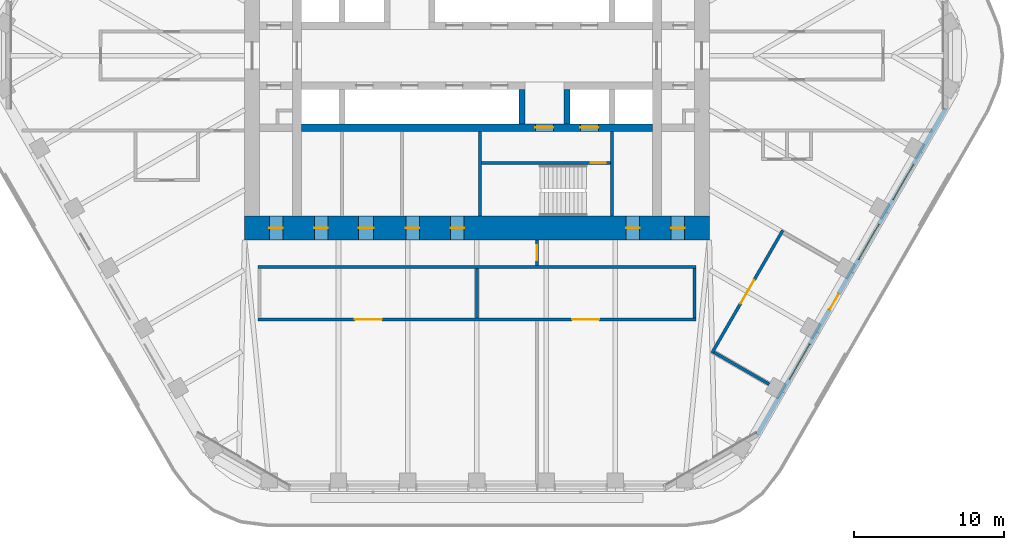
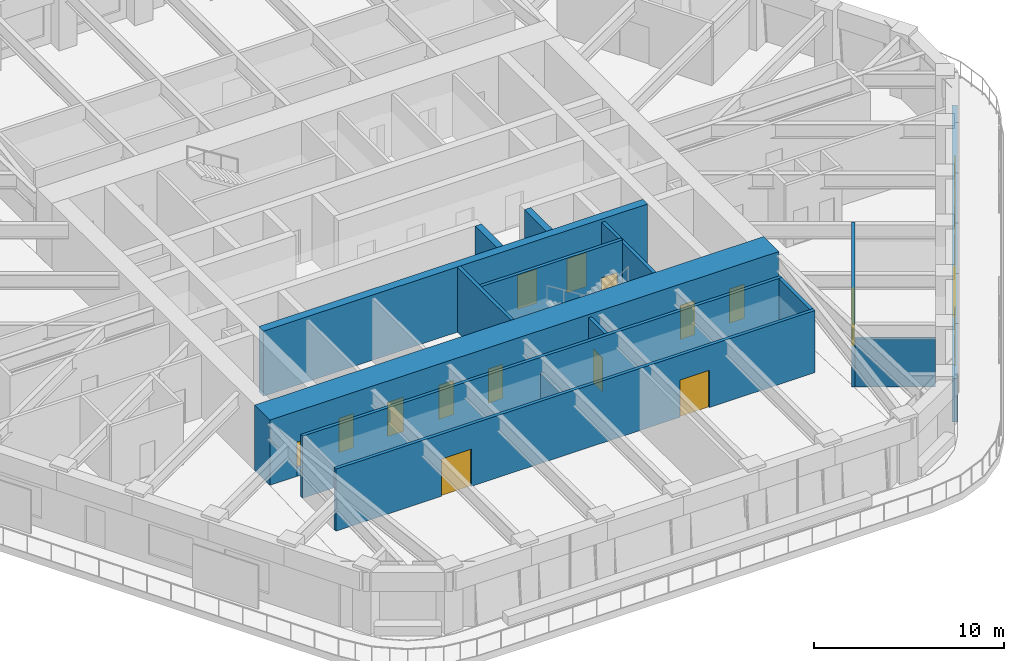
# One storey, part 15 of 20: 15 doors, 15 walls, 3 windows, 18 openings.
"""IFC4 building model written with IfcOpenShell, lengths in metres."""

from ifc_helpers import new_model, si_unit, direction, frame, frame_2d, origin, place, context, subcontext, project, spatial, rectangle, extrude, material, layer, layer_set, type_object, element, fill, save


model = new_model("IFC4")

# Units and contexts
model_context = context("Model", 3, precision=1e-05, world=origin(), true_north=direction((0.0, 1.0)))
body_context = subcontext(model_context, "Body", "Model", "MODEL_VIEW")
ifc_project = project(units=[si_unit("LENGTHUNIT", "METRE"), si_unit("AREAUNIT", "SQUARE_METRE"), si_unit("VOLUMEUNIT", "CUBIC_METRE"), si_unit("PLANEANGLEUNIT", "RADIAN"), si_unit("MASSUNIT", "GRAM", prefix="KILO")], contexts=[model_context])

# Site, building, storey
site_placement = place(None, origin())
site = spatial("IfcSite", under=ifc_project, at=site_placement, CompositionType="ELEMENT")
building_placement = place(site_placement, origin())
building = spatial("IfcBuilding", under=site, at=building_placement, Name="Tarfa Lantern Tower", CompositionType="ELEMENT")
storey_placement = place(building_placement, frame((0.0, 0.0, 282.699951171875)))
storey = spatial("IfcBuildingStorey", under=building, at=storey_placement, Name="L64", CompositionType="ELEMENT", Elevation=282.699951171875)

# Wall, openings, door, windows
ifc_material_1 = material(Name="Limestone cladding on blockwork", Category="masonry")
ifc_layer_1 = layer(ifc_material_1, 0.300048828125)
ifc_layer_set_1 = layer_set([ifc_layer_1], Name="EW1 STONE-CLAD WALL 300")
wall_type_1 = type_object("IfcWallType", Name="EW1 STONE-CLAD WALL 300", PredefinedType="SOLIDWALL", material=ifc_layer_set_1)
wall_1_placement = place(storey_placement, frame((18.70654296875, -25.299072265625, 0.0), z_axis=(0.0, 0.0, 1.0), x_axis=(0.500000442367, 0.866025148383, 0.0)))
wall_1 = element("IfcWall", 1, at=wall_1_placement, inside=storey, type_object=wall_type_1, Name="Stone wall SE", PredefinedType="SOLIDWALL", context=body_context, shape_type="SweptSolid", body=[
    extrude(rectangle(XDim=25.11279296875, YDim=0.300048828125, at=frame_2d((12.556396484375, 0.0))), origin(), (0.0, 0.0, 1.0), 2.800048828125),
])
opening_1_placement = place(wall_1_placement, frame((4.2783203125, 0.0, 0.60009765625)))
opening_1 = element("IfcOpeningElement", 2, at=opening_1_placement, cuts=wall_1, Name="Opening W14", PredefinedType="OPENING", context=body_context, shape_type="SweptSolid", body=[
    extrude(rectangle(XDim=2.699951171875, YDim=1.949951171875, at=frame_2d((1.35009765625, 0.97509765625))), frame((0.0, 0.159912109375, 0.0), z_axis=(0.0, -1.0, 0.0), x_axis=(1.0, 0.0, 0.0)), (0.0, 0.0, 1.0), 0.320068359375),
])
opening_2_placement = place(wall_1_placement, frame((9.64697265625, 0.0, 0.0)))
opening_2 = element("IfcOpeningElement", 3, at=opening_2_placement, cuts=wall_1, Name="Opening D47", PredefinedType="OPENING", context=body_context, shape_type="SweptSolid", body=[
    extrude(rectangle(XDim=1.199951171875, YDim=2.39990234375, at=frame_2d((0.60009765625, 1.199951171875))), frame((0.0, 0.159912109375, 0.0), z_axis=(0.0, -1.0, 0.0), x_axis=(1.0, 0.0, 0.0)), (0.0, 0.0, 1.0), 0.320068359375),
])
opening_3_placement = place(wall_1_placement, frame((13.515869140625, 0.0, 0.60009765625)))
opening_3 = element("IfcOpeningElement", 4, at=opening_3_placement, cuts=wall_1, Name="Opening W14", PredefinedType="OPENING", context=body_context, shape_type="SweptSolid", body=[
    extrude(rectangle(XDim=2.699951171875, YDim=1.949951171875, at=frame_2d((1.35009765625, 0.97509765625))), frame((0.0, 0.159912109375, 0.0), z_axis=(0.0, -1.0, 0.0), x_axis=(1.0, 0.0, 0.0)), (0.0, 0.0, 1.0), 0.320068359375),
])
opening_4_placement = place(wall_1_placement, frame((18.134521484375, 0.0, 0.60009765625)))
opening_4 = element("IfcOpeningElement", 5, at=opening_4_placement, cuts=wall_1, Name="Opening W14", PredefinedType="OPENING", context=body_context, shape_type="SweptSolid", body=[
    extrude(rectangle(XDim=2.699951171875, YDim=1.949951171875, at=frame_2d((1.35009765625, 0.97509765625))), frame((0.0, 0.159912109375, 0.0), z_axis=(0.0, -1.0, 0.0), x_axis=(1.0, 0.0, 0.0)), (0.0, 0.0, 1.0), 0.320068359375),
])
ifc_material_2 = material(Name="Aluminium framed glazed door", Category="aluminium")
door_type_1 = type_object("IfcDoorType", Name="BE3 BALCONY DOOR 1200x2400", OperationType="SINGLE_SWING_RIGHT", PredefinedType="DOOR", material=ifc_material_2)
door_1_placement = place(opening_2_placement, origin())
door_1 = element("IfcDoor", 6, at=door_1_placement, inside=storey, type_object=door_type_1, Name="Balcony door SE", OperationType="SINGLE_SWING_RIGHT", OverallHeight=2.39990234375, OverallWidth=1.199951171875, PredefinedType="DOOR", context=body_context, shape_type="SweptSolid", body=[
    extrude(rectangle(XDim=1.199951171875, YDim=2.39990234375, at=frame_2d((0.60009765625, 1.199951171875))), frame((0.0, 0.02490234375, 0.0), z_axis=(0.0, -1.0, 0.0), x_axis=(1.0, 0.0, 0.0)), (0.0, 0.0, 1.0), 0.050048828125),
])
fill(opening_2, door_1)
ifc_material_3 = material(Name="Aluminium frame, double glazed", Category="aluminium")
window_type = type_object("IfcWindowType", Name="W14 FULL-HEIGHT GLAZING 2700x1950", PartitioningType="SINGLE_PANEL", PredefinedType="WINDOW", material=ifc_material_3)
window_1_placement = place(opening_1_placement, origin())
window_1 = element("IfcWindow", 7, at=window_1_placement, inside=storey, type_object=window_type, Name="Window SE 2", OverallHeight=1.949951171875, OverallWidth=2.699951171875, PartitioningType="SINGLE_PANEL", PredefinedType="WINDOW", context=body_context, shape_type="SweptSolid", body=[
    extrude(rectangle(XDim=2.699951171875, YDim=1.949951171875, at=frame_2d((1.35009765625, 0.97509765625))), frame((0.0, 0.030029296875, 0.0), z_axis=(0.0, -1.0, 0.0), x_axis=(1.0, 0.0, 0.0)), (0.0, 0.0, 1.0), 0.06005859375),
])
fill(opening_1, window_1)
window_2_placement = place(opening_3_placement, origin())
window_2 = element("IfcWindow", 8, at=window_2_placement, inside=storey, type_object=window_type, Name="Window SE 4", OverallHeight=1.949951171875, OverallWidth=2.699951171875, PartitioningType="SINGLE_PANEL", PredefinedType="WINDOW", context=body_context, shape_type="SweptSolid", body=[
    extrude(rectangle(XDim=2.699951171875, YDim=1.949951171875, at=frame_2d((1.35009765625, 0.97509765625))), frame((0.0, 0.030029296875, 0.0), z_axis=(0.0, -1.0, 0.0), x_axis=(1.0, 0.0, 0.0)), (0.0, 0.0, 1.0), 0.06005859375),
])
fill(opening_3, window_2)
window_3_placement = place(opening_4_placement, origin())
window_3 = element("IfcWindow", 9, at=window_3_placement, inside=storey, type_object=window_type, Name="Window SE 5", OverallHeight=1.949951171875, OverallWidth=2.699951171875, PartitioningType="SINGLE_PANEL", PredefinedType="WINDOW", context=body_context, shape_type="SweptSolid", body=[
    extrude(rectangle(XDim=2.699951171875, YDim=1.949951171875, at=frame_2d((1.35009765625, 0.97509765625))), frame((0.0, 0.030029296875, 0.0), z_axis=(0.0, -1.0, 0.0), x_axis=(1.0, 0.0, 0.0)), (0.0, 0.0, 1.0), 0.06005859375),
])
fill(opening_4, window_3)

# Walls
ifc_material_4 = material(Name="Concrete blockwork", Category="masonry")
ifc_layer_2 = layer(ifc_material_4, 0.199951171875)
ifc_layer_set_2 = layer_set([ifc_layer_2], Name="IW1 BLOCKWORK PARTITION 200 EI 120")
wall_type_2 = type_object("IfcWallType", Name="IW1 BLOCKWORK PARTITION 200 EI 120", PredefinedType="PARTITIONING", material=ifc_layer_set_2)
wall_2_placement = place(storey_placement, frame((9.0, -5.050048828125, 0.0), z_axis=(0.0, 0.0, 1.0), x_axis=(0.0, -1.0, 0.0)))
element("IfcWall", 10, at=wall_2_placement, inside=storey, type_object=wall_type_2, Name="Core partition", PredefinedType="PARTITIONING", context=body_context, shape_type="SweptSolid", body=[
    extrude(rectangle(XDim=5.64990234375, YDim=0.199951171875, at=frame_2d((2.824951171875, 0.0))), origin(), (0.0, 0.0, 1.0), 4.0),
])
ifc_material_5 = material(Name="Gypsum board on steel studs", Category="steel")
ifc_layer_3 = layer(ifc_material_5, 0.2099609375)
ifc_layer_set_3 = layer_set([ifc_layer_3], Name="IW2 ACOUSTIC PARTITION 200")
wall_type_3 = type_object("IfcWallType", Name="IW2 ACOUSTIC PARTITION 200", PredefinedType="PARTITIONING", material=ifc_layer_set_3)
wall_3_placement = place(storey_placement, frame((14.60009765625, -14.10009765625, 0.0), z_axis=(0.0, 0.0, 1.0), x_axis=(-1.0, 0.0, 0.0)))
element("IfcWall", 11, at=wall_3_placement, inside=storey, type_object=wall_type_3, Name="Partition", PredefinedType="PARTITIONING", context=body_context, shape_type="SweptSolid", body=[
    extrude(rectangle(XDim=29.2001953125, YDim=0.199951171875, at=frame_2d((14.60009765625, 0.0))), origin(), (0.0, 0.0, 1.0), 4.0),
])

# Wall, openings, doors
wall_4_placement = place(storey_placement, frame((14.60009765625, -17.60009765625, 0.0), z_axis=(0.0, 0.0, 1.0), x_axis=(-1.0, 0.0, 0.0)))
wall_4 = element("IfcWall", 12, at=wall_4_placement, inside=storey, type_object=wall_type_3, Name="Partition", PredefinedType="PARTITIONING", context=body_context, shape_type="SweptSolid", body=[
    extrude(rectangle(XDim=29.2001953125, YDim=0.199951171875, at=frame_2d((14.60009765625, 0.0))), origin(), (0.0, 0.0, 1.0), 4.0),
])
opening_5_placement = place(wall_4_placement, frame((6.449951171875, 0.0, 0.0)))
opening_5 = element("IfcOpeningElement", 13, at=opening_5_placement, cuts=wall_4, Name="Opening D32", PredefinedType="OPENING", context=body_context, shape_type="SweptSolid", body=[
    extrude(rectangle(XDim=1.800048828125, YDim=2.39990234375, at=frame_2d((0.89990234375, 1.199951171875))), frame((0.0, 0.10986328125, 0.0), z_axis=(0.0, -1.0, 0.0), x_axis=(1.0, 0.0, 0.0)), (0.0, 0.0, 1.0), 0.219970703125),
])
opening_6_placement = place(wall_4_placement, frame((20.949951171875, 0.0, 0.0)))
opening_6 = element("IfcOpeningElement", 14, at=opening_6_placement, cuts=wall_4, Name="Opening D33", PredefinedType="OPENING", context=body_context, shape_type="SweptSolid", body=[
    extrude(rectangle(XDim=1.800048828125, YDim=2.39990234375, at=frame_2d((0.89990234375, 1.199951171875))), frame((0.0, 0.10986328125, 0.0), z_axis=(0.0, -1.0, 0.0), x_axis=(1.0, 0.0, 0.0)), (0.0, 0.0, 1.0), 0.219970703125),
])
ifc_material_6 = material(Name="Timber door", Category="wood")
door_type_2 = type_object("IfcDoorType", Name="DR2 ROOM DOOR 1800x2400", OperationType="DOUBLE_DOOR_SINGLE_SWING", PredefinedType="DOOR", material=ifc_material_6)
door_2_placement = place(opening_5_placement, frame((1.800048828125, 0.0, 0.0), z_axis=(0.0, 0.0, 1.0), x_axis=(-1.0, 0.0, 0.0)))
door_2 = element("IfcDoor", 15, at=door_2_placement, inside=storey, type_object=door_type_2, Name="Meeting room door", OperationType="DOUBLE_DOOR_SINGLE_SWING", OverallHeight=2.39990234375, OverallWidth=1.800048828125, PredefinedType="DOOR", context=body_context, shape_type="SweptSolid", body=[
    extrude(rectangle(XDim=1.800048828125, YDim=2.39990234375, at=frame_2d((0.89990234375, 1.199951171875))), frame((0.0, 0.02490234375, 0.0), z_axis=(0.0, -1.0, 0.0), x_axis=(1.0, 0.0, 0.0)), (0.0, 0.0, 1.0), 0.050048828125),
])
fill(opening_5, door_2)
door_3_placement = place(opening_6_placement, frame((1.800048828125, 0.0, 0.0), z_axis=(0.0, 0.0, 1.0), x_axis=(-1.0, 0.0, 0.0)))
door_3 = element("IfcDoor", 16, at=door_3_placement, inside=storey, type_object=door_type_2, Name="Meeting room door", OperationType="DOUBLE_DOOR_SINGLE_SWING", OverallHeight=2.39990234375, OverallWidth=1.800048828125, PredefinedType="DOOR", context=body_context, shape_type="SweptSolid", body=[
    extrude(rectangle(XDim=1.800048828125, YDim=2.39990234375, at=frame_2d((0.89990234375, 1.199951171875))), frame((0.0, 0.02490234375, 0.0), z_axis=(0.0, -1.0, 0.0), x_axis=(1.0, 0.0, 0.0)), (0.0, 0.0, 1.0), 0.050048828125),
])
fill(opening_6, door_3)

# Walls
wall_5_placement = place(storey_placement, frame((14.5, -14.199951171875, 0.0), z_axis=(0.0, 0.0, 1.0), x_axis=(0.0, -1.0, 0.0)))
element("IfcWall", 17, at=wall_5_placement, inside=storey, type_object=wall_type_3, Name="Partition", PredefinedType="PARTITIONING", context=body_context, shape_type="SweptSolid", body=[
    extrude(rectangle(XDim=3.300048828125, YDim=0.199951171875, at=frame_2d((1.64990234375, 0.0))), origin(), (0.0, 0.0, 1.0), 4.0),
])
wall_6_placement = place(storey_placement, frame((0.0, -14.199951171875, 0.0), z_axis=(0.0, 0.0, 1.0), x_axis=(0.0, -1.0, 0.0)))
element("IfcWall", 18, at=wall_6_placement, inside=storey, type_object=wall_type_3, Name="Partition", PredefinedType="PARTITIONING", context=body_context, shape_type="SweptSolid", body=[
    extrude(rectangle(XDim=3.300048828125, YDim=0.199951171875, at=frame_2d((1.64990234375, 0.0))), origin(), (0.0, 0.0, 1.0), 2.991943359375),
])

# Wall, opening, door
wall_7_placement = place(storey_placement, frame((15.682861328125, -19.836669921875, 0.0), z_axis=(0.0, 0.0, 1.0), x_axis=(0.499989672313, 0.866031366395, 0.0)))
wall_7 = element("IfcWall", 19, at=wall_7_placement, inside=storey, type_object=wall_type_3, Name="Partition", PredefinedType="PARTITIONING", context=body_context, shape_type="SweptSolid", body=[
    extrude(rectangle(XDim=9.437744140625, YDim=0.199951171875, at=frame_2d((4.71875, 0.0))), origin(), (0.0, 0.0, 1.0), 4.0),
])
opening_7_placement = place(wall_7_placement, frame((3.81884765625, 0.0, 0.0)))
opening_7 = element("IfcOpeningElement", 20, at=opening_7_placement, cuts=wall_7, Name="Opening D30", PredefinedType="OPENING", context=body_context, shape_type="SweptSolid", body=[
    extrude(rectangle(XDim=1.800048828125, YDim=2.39990234375, at=frame_2d((0.89990234375, 1.199951171875))), frame((0.0, 0.10986328125, 0.0), z_axis=(0.0, -1.0, 0.0), x_axis=(1.0, 0.0, 0.0)), (0.0, 0.0, 1.0), 0.219970703125),
])
door_4_placement = place(opening_7_placement, frame((1.800048828125, 0.0, 0.0), z_axis=(0.0, 0.0, 1.0), x_axis=(-1.0, 0.0, 0.0)))
door_4 = element("IfcDoor", 21, at=door_4_placement, inside=storey, type_object=door_type_2, Name="Majlis door", OperationType="DOUBLE_DOOR_SINGLE_SWING", OverallHeight=2.39990234375, OverallWidth=1.800048828125, PredefinedType="DOOR", context=body_context, shape_type="SweptSolid", body=[
    extrude(rectangle(XDim=1.800048828125, YDim=2.39990234375, at=frame_2d((0.89990234375, 1.199951171875))), frame((0.0, 0.02490234375, 0.0), z_axis=(0.0, -1.0, 0.0), x_axis=(1.0, 0.0, 0.0)), (0.0, 0.0, 1.0), 0.050048828125),
])
fill(opening_7, door_4)

# Wall
wall_8_placement = place(storey_placement, frame((15.8193359375, -19.800048828125, 0.0), z_axis=(0.0, 0.0, 1.0), x_axis=(0.866028703517, -0.499994284652, 0.0)))
element("IfcWall", 22, at=wall_8_placement, inside=storey, type_object=wall_type_3, Name="Partition", PredefinedType="PARTITIONING", context=body_context, shape_type="SweptSolid", body=[
    extrude(rectangle(XDim=4.25, YDim=0.199951171875, at=frame_2d((2.125, 0.0))), origin(), (0.0, 0.0, 1.0), 3.08154296875),
])

# Wall, opening, door
wall_9_placement = place(storey_placement, frame((4.0, -12.300048828125, 0.0), z_axis=(0.0, 0.0, 1.0), x_axis=(0.0, -1.0, 0.0)))
wall_9 = element("IfcWall", 23, at=wall_9_placement, inside=storey, type_object=wall_type_3, Name="Partition", PredefinedType="PARTITIONING", context=body_context, shape_type="SweptSolid", body=[
    extrude(rectangle(XDim=1.699951171875, YDim=0.199951171875, at=frame_2d((0.85009765625, 0.0))), origin(), (0.0, 0.0, 1.0), 4.0),
])
opening_8_placement = place(wall_9_placement, frame((0.35009765625, 0.0, 0.0)))
opening_8 = element("IfcOpeningElement", 24, at=opening_8_placement, cuts=wall_9, Name="Opening D44", PredefinedType="OPENING", context=body_context, shape_type="SweptSolid", body=[
    extrude(rectangle(XDim=1.0, YDim=2.199951171875, at=frame_2d((0.5, 1.10009765625))), frame((0.0, 0.10986328125, 0.0), z_axis=(0.0, -1.0, 0.0), x_axis=(1.0, 0.0, 0.0)), (0.0, 0.0, 1.0), 0.219970703125),
])
door_type_3 = type_object("IfcDoorType", Name="DR1 ROOM DOOR 1000x2200", OperationType="SINGLE_SWING_LEFT", PredefinedType="DOOR", material=ifc_material_6)
door_5_placement = place(opening_8_placement, origin())
door_5 = element("IfcDoor", 25, at=door_5_placement, inside=storey, type_object=door_type_3, Name="Zone door", OperationType="SINGLE_SWING_LEFT", OverallHeight=2.199951171875, OverallWidth=1.0, PredefinedType="DOOR", context=body_context, shape_type="SweptSolid", body=[
    extrude(rectangle(XDim=1.0, YDim=2.199951171875, at=frame_2d((0.5, 1.10009765625))), frame((0.0, 0.02490234375, 0.0), z_axis=(0.0, -1.0, 0.0), x_axis=(1.0, 0.0, 0.0)), (0.0, 0.0, 1.0), 0.050048828125),
])
fill(opening_8, door_5)

# Wall
ifc_material_7 = material(Name="Concrete C80/95", Category="concrete")
ifc_layer_4 = layer(ifc_material_7, 0.199951171875)
ifc_layer_set_4 = layer_set([ifc_layer_4], Name="SW12 CORE WALL 200")
wall_type_4 = type_object("IfcWallType", Name="SW12 CORE WALL 200", PredefinedType="SHEAR", material=ifc_layer_set_4)
wall_10_placement = place(storey_placement, frame((0.199951171875, -5.050048828125, 0.0), z_axis=(0.0, 0.0, 1.0), x_axis=(0.0, -1.0, 0.0)))
element("IfcWall", 26, at=wall_10_placement, inside=storey, type_object=wall_type_4, Name="Core wall stair shaft S", PredefinedType="SHEAR", context=body_context, shape_type="SweptSolid", body=[
    extrude(rectangle(XDim=5.64990234375, YDim=0.199951171875, at=frame_2d((2.824951171875, 0.0))), origin(), (0.0, 0.0, 1.0), 4.199951171875),
])

# Wall, opening, door
wall_11_placement = place(storey_placement, frame((8.89990234375, -7.14990234375, 0.0), z_axis=(0.0, 0.0, 1.0), x_axis=(-1.0, 0.0, 0.0)))
wall_11 = element("IfcWall", 27, at=wall_11_placement, inside=storey, type_object=wall_type_4, Name="Core wall stair partition S", PredefinedType="SHEAR", context=body_context, shape_type="SweptSolid", body=[
    extrude(rectangle(XDim=8.599853515625, YDim=0.199951171875, at=frame_2d((4.2998046875, 0.0))), origin(), (0.0, 0.0, 1.0), 4.199951171875),
])
opening_9_placement = place(wall_11_placement, frame((0.300048828125, 0.0, 0.0)))
opening_9 = element("IfcOpeningElement", 28, at=opening_9_placement, cuts=wall_11, Name="Opening D24", PredefinedType="OPENING", context=body_context, shape_type="SweptSolid", body=[
    extrude(rectangle(XDim=1.0, YDim=2.199951171875, at=frame_2d((0.5, 1.10009765625))), frame((0.0, 0.10986328125, 0.0), z_axis=(0.0, -1.0, 0.0), x_axis=(1.0, 0.0, 0.0)), (0.0, 0.0, 1.0), 0.219970703125),
])
ifc_material_8 = material(Name="Steel fire door", Category="steel")
door_type_4 = type_object("IfcDoorType", Name="DF2 STAIR DOOR 1000x2200", OperationType="SINGLE_SWING_LEFT", PredefinedType="DOOR", material=ifc_material_8)
door_6_placement = place(opening_9_placement, origin())
door_6 = element("IfcDoor", 29, at=door_6_placement, inside=storey, type_object=door_type_4, Name="Stair door", OperationType="SINGLE_SWING_RIGHT", OverallHeight=2.199951171875, OverallWidth=1.0, PredefinedType="DOOR", context=body_context, shape_type="SweptSolid", body=[
    extrude(rectangle(XDim=1.0, YDim=2.199951171875, at=frame_2d((0.5, 1.10009765625))), frame((0.0, 0.02490234375, 0.0), z_axis=(0.0, -1.0, 0.0), x_axis=(1.0, 0.0, 0.0)), (0.0, 0.0, 1.0), 0.050048828125),
])
fill(opening_9, door_6)

# Wall, openings, doors
ifc_layer_5 = layer(ifc_material_7, 0.5)
ifc_layer_set_5 = layer_set([ifc_layer_5], Name="SW5 CORE WALL 500")
wall_type_5 = type_object("IfcWallType", Name="SW5 CORE WALL 500", PredefinedType="SHEAR", material=ifc_layer_set_5)
wall_12_placement = place(storey_placement, frame((11.699951171875, -4.800048828125, 0.0), z_axis=(0.0, 0.0, 1.0), x_axis=(-1.0, 0.0, 0.0)))
wall_12 = element("IfcWall", 30, at=wall_12_placement, inside=storey, type_object=wall_type_5, Name="Core wall rear S", PredefinedType="SHEAR", context=body_context, shape_type="SweptSolid", body=[
    extrude(rectangle(XDim=23.39990234375, YDim=0.5, at=frame_2d((11.699951171875, 0.0))), origin(), (0.0, 0.0, 1.0), 4.199951171875),
])
opening_10_placement = place(wall_12_placement, frame((6.60009765625, 0.0, 0.0)))
opening_10 = element("IfcOpeningElement", 31, at=opening_10_placement, cuts=wall_12, Name="Opening D10", PredefinedType="OPENING", context=body_context, shape_type="SweptSolid", body=[
    extrude(rectangle(XDim=1.199951171875, YDim=2.199951171875, at=frame_2d((0.60009765625, 1.10009765625))), frame((0.0, 0.260009765625, 0.0), z_axis=(0.0, -1.0, 0.0), x_axis=(1.0, 0.0, 0.0)), (0.0, 0.0, 1.0), 0.52001953125),
])
opening_11_placement = place(wall_12_placement, frame((3.60009765625, 0.0, 0.0)))
opening_11 = element("IfcOpeningElement", 32, at=opening_11_placement, cuts=wall_12, Name="Opening LD02", PredefinedType="OPENING", context=body_context, shape_type="SweptSolid", body=[
    extrude(rectangle(XDim=1.199951171875, YDim=2.199951171875, at=frame_2d((0.60009765625, 1.10009765625))), frame((0.0, 0.260009765625, 0.0), z_axis=(0.0, -1.0, 0.0), x_axis=(1.0, 0.0, 0.0)), (0.0, 0.0, 1.0), 0.52001953125),
])
door_type_5 = type_object("IfcDoorType", Name="DF1 FIREFIGHTING LOBBY DOOR 1200x2200", OperationType="SINGLE_SWING_LEFT", PredefinedType="DOOR", material=ifc_material_8)
door_7_placement = place(opening_10_placement, origin())
door_7 = element("IfcDoor", 33, at=door_7_placement, inside=storey, type_object=door_type_5, Name="Firefighting lobby door", OperationType="SINGLE_SWING_LEFT", OverallHeight=2.199951171875, OverallWidth=1.199951171875, PredefinedType="DOOR", context=body_context, shape_type="SweptSolid", body=[
    extrude(rectangle(XDim=1.199951171875, YDim=2.199951171875, at=frame_2d((0.60009765625, 1.10009765625))), frame((0.0, 0.02490234375, 0.0), z_axis=(0.0, -1.0, 0.0), x_axis=(1.0, 0.0, 0.0)), (0.0, 0.0, 1.0), 0.050048828125),
])
fill(opening_10, door_7)
ifc_material_9 = material(Name="Stainless steel lift door", Category="steel")
door_type_6 = type_object("IfcDoorType", Name="LD1 LIFT LANDING DOOR 1200x2200", OperationType="SLIDING_TO_LEFT", PredefinedType="DOOR", material=ifc_material_9)
door_8_placement = place(opening_11_placement, origin())
door_8 = element("IfcDoor", 34, at=door_8_placement, inside=storey, type_object=door_type_6, Name="Landing door FL2", OperationType="SLIDING_TO_LEFT", OverallHeight=2.199951171875, OverallWidth=1.199951171875, PredefinedType="DOOR", context=body_context, shape_type="SweptSolid", body=[
    extrude(rectangle(XDim=1.199951171875, YDim=2.199951171875, at=frame_2d((0.60009765625, 1.10009765625))), frame((0.0, 0.02490234375, 0.0), z_axis=(0.0, -1.0, 0.0), x_axis=(1.0, 0.0, 0.0)), (0.0, 0.0, 1.0), 0.050048828125),
])
fill(opening_11, door_8)

# Walls
ifc_layer_6 = layer(ifc_material_7, 0.39990234375)
ifc_layer_set_6 = layer_set([ifc_layer_6], Name="SW6 CORE WALL 400")
wall_type_6 = type_object("IfcWallType", Name="SW6 CORE WALL 400", PredefinedType="SHEAR", material=ifc_layer_set_6)
for number, where, z_axis, x_axis, name in (
    (35, (6.0, -2.25, 0.0), (0.0, 0.0, 1.0), (0.0, -1.0, 0.0), "Core wall divider S"),
    (36, (3.0, -2.25, 0.0), (0.0, 0.0, 1.0), (0.0, -1.0, 0.0), "Core wall divider S"),
):
    element("IfcWall", number, at=place(storey_placement, frame(where, z_axis=z_axis, x_axis=x_axis)), inside=storey, type_object=wall_type_6, Name=name, PredefinedType="SHEAR", context=body_context, shape_type="SweptSolid", body=[
        extrude(rectangle(XDim=2.300048828125, YDim=0.39990234375, at=frame_2d((1.14990234375, 0.0))), origin(), (0.0, 0.0, 1.0), 4.199951171875),
    ])

# Wall, openings, doors
ifc_layer_7 = layer(ifc_material_7, 1.60009765625)
ifc_layer_set_7 = layer_set([ifc_layer_7], Name="SW7 CORE WALL 1600")
wall_type_7 = type_object("IfcWallType", Name="SW7 CORE WALL 1600", PredefinedType="SHEAR", material=ifc_layer_set_7)
wall_13_placement = place(storey_placement, frame((15.5, -11.5, 0.0), z_axis=(0.0, 0.0, 1.0), x_axis=(-1.0, 0.0, 0.0)))
wall_13 = element("IfcWall", 37, at=wall_13_placement, inside=storey, type_object=wall_type_7, Name="Core wall S", PredefinedType="SHEAR", context=body_context, shape_type="SweptSolid", body=[
    extrude(rectangle(XDim=31.0, YDim=1.60009765625, at=frame_2d((15.5, 0.0))), origin(), (0.0, 0.0, 1.0), 4.199951171875),
])
opening_12_placement = place(wall_13_placement, frame((16.35009765625, 0.0, 0.0)))
opening_12 = element("IfcOpeningElement", 38, at=opening_12_placement, cuts=wall_13, Name="Opening D18", PredefinedType="OPENING", context=body_context, shape_type="SweptSolid", body=[
    extrude(rectangle(XDim=0.89990234375, YDim=2.199951171875, at=frame_2d((0.449951171875, 1.10009765625))), frame((0.0, 0.81005859375, 0.0), z_axis=(0.0, -1.0, 0.0), x_axis=(1.0, 0.0, 0.0)), (0.0, 0.0, 1.0), 1.6201171875),
])
opening_13_placement = place(wall_13_placement, frame((19.35009765625, 0.0, 0.0)))
opening_13 = element("IfcOpeningElement", 39, at=opening_13_placement, cuts=wall_13, Name="Opening D20", PredefinedType="OPENING", context=body_context, shape_type="SweptSolid", body=[
    extrude(rectangle(XDim=0.89990234375, YDim=2.199951171875, at=frame_2d((0.449951171875, 1.10009765625))), frame((0.0, 0.81005859375, 0.0), z_axis=(0.0, -1.0, 0.0), x_axis=(1.0, 0.0, 0.0)), (0.0, 0.0, 1.0), 1.6201171875),
])
opening_14_placement = place(wall_13_placement, frame((22.39990234375, 0.0, 0.0)))
opening_14 = element("IfcOpeningElement", 40, at=opening_14_placement, cuts=wall_13, Name="Opening D22", PredefinedType="OPENING", context=body_context, shape_type="SweptSolid", body=[
    extrude(rectangle(XDim=1.0, YDim=2.199951171875, at=frame_2d((0.5, 1.10009765625))), frame((0.0, 0.81005859375, 0.0), z_axis=(0.0, -1.0, 0.0), x_axis=(1.0, 0.0, 0.0)), (0.0, 0.0, 1.0), 1.6201171875),
])
opening_15_placement = place(wall_13_placement, frame((1.64990234375, 0.0, 0.0)))
opening_15 = element("IfcOpeningElement", 41, at=opening_15_placement, cuts=wall_13, Name="Opening D08", PredefinedType="OPENING", context=body_context, shape_type="SweptSolid", body=[
    extrude(rectangle(XDim=0.89990234375, YDim=2.199951171875, at=frame_2d((0.449951171875, 1.10009765625))), frame((0.0, 0.81005859375, 0.0), z_axis=(0.0, -1.0, 0.0), x_axis=(1.0, 0.0, 0.0)), (0.0, 0.0, 1.0), 1.6201171875),
])
opening_16_placement = place(wall_13_placement, frame((4.64990234375, 0.0, 0.0)))
opening_16 = element("IfcOpeningElement", 42, at=opening_16_placement, cuts=wall_13, Name="Opening D06", PredefinedType="OPENING", context=body_context, shape_type="SweptSolid", body=[
    extrude(rectangle(XDim=0.89990234375, YDim=2.199951171875, at=frame_2d((0.449951171875, 1.10009765625))), frame((0.0, 0.81005859375, 0.0), z_axis=(0.0, -1.0, 0.0), x_axis=(1.0, 0.0, 0.0)), (0.0, 0.0, 1.0), 1.6201171875),
])
opening_17_placement = place(wall_13_placement, frame((25.449951171875, 0.0, 0.0)))
opening_17 = element("IfcOpeningElement", 43, at=opening_17_placement, cuts=wall_13, Name="Opening D04", PredefinedType="OPENING", context=body_context, shape_type="SweptSolid", body=[
    extrude(rectangle(XDim=0.89990234375, YDim=2.199951171875, at=frame_2d((0.449951171875, 1.10009765625))), frame((0.0, 0.81005859375, 0.0), z_axis=(0.0, -1.0, 0.0), x_axis=(1.0, 0.0, 0.0)), (0.0, 0.0, 1.0), 1.6201171875),
])
opening_18_placement = place(wall_13_placement, frame((28.449951171875, 0.0, 0.0)))
opening_18 = element("IfcOpeningElement", 44, at=opening_18_placement, cuts=wall_13, Name="Opening D02", PredefinedType="OPENING", context=body_context, shape_type="SweptSolid", body=[
    extrude(rectangle(XDim=0.89990234375, YDim=2.199951171875, at=frame_2d((0.449951171875, 1.10009765625))), frame((0.0, 0.81005859375, 0.0), z_axis=(0.0, -1.0, 0.0), x_axis=(1.0, 0.0, 0.0)), (0.0, 0.0, 1.0), 1.6201171875),
])
door_type_7 = type_object("IfcDoorType", Name="DF3 CORE ROOM DOOR 900x2200", OperationType="SINGLE_SWING_LEFT", PredefinedType="DOOR", material=ifc_material_8)
door_9_placement = place(opening_12_placement, frame((0.89990234375, 0.0, 0.0), z_axis=(0.0, 0.0, 1.0), x_axis=(-1.0, 0.0, 0.0)))
door_9 = element("IfcDoor", 45, at=door_9_placement, inside=storey, type_object=door_type_7, Name="Core door", OperationType="SINGLE_SWING_LEFT", OverallHeight=2.199951171875, OverallWidth=0.89990234375, PredefinedType="DOOR", context=body_context, shape_type="SweptSolid", body=[
    extrude(rectangle(XDim=0.89990234375, YDim=2.199951171875, at=frame_2d((0.449951171875, 1.10009765625))), frame((0.0, 0.02490234375, 0.0), z_axis=(0.0, -1.0, 0.0), x_axis=(1.0, 0.0, 0.0)), (0.0, 0.0, 1.0), 0.050048828125),
])
fill(opening_12, door_9)
door_10_placement = place(opening_13_placement, frame((0.89990234375, 0.0, 0.0), z_axis=(0.0, 0.0, 1.0), x_axis=(-1.0, 0.0, 0.0)))
door_10 = element("IfcDoor", 46, at=door_10_placement, inside=storey, type_object=door_type_7, Name="Core door", OperationType="SINGLE_SWING_RIGHT", OverallHeight=2.199951171875, OverallWidth=0.89990234375, PredefinedType="DOOR", context=body_context, shape_type="SweptSolid", body=[
    extrude(rectangle(XDim=0.89990234375, YDim=2.199951171875, at=frame_2d((0.449951171875, 1.10009765625))), frame((0.0, 0.02490234375, 0.0), z_axis=(0.0, -1.0, 0.0), x_axis=(1.0, 0.0, 0.0)), (0.0, 0.0, 1.0), 0.050048828125),
])
fill(opening_13, door_10)
door_type_8 = type_object("IfcDoorType", Name="DF4 CORE ROOM DOOR 1000x2200", OperationType="SINGLE_SWING_LEFT", PredefinedType="DOOR", material=ifc_material_8)
door_11_placement = place(opening_14_placement, frame((1.0, 0.0, 0.0), z_axis=(0.0, 0.0, 1.0), x_axis=(-1.0, 0.0, 0.0)))
door_11 = element("IfcDoor", 47, at=door_11_placement, inside=storey, type_object=door_type_8, Name="Core door", OperationType="SINGLE_SWING_RIGHT", OverallHeight=2.199951171875, OverallWidth=1.0, PredefinedType="DOOR", context=body_context, shape_type="SweptSolid", body=[
    extrude(rectangle(XDim=1.0, YDim=2.199951171875, at=frame_2d((0.5, 1.10009765625))), frame((0.0, 0.02490234375, 0.0), z_axis=(0.0, -1.0, 0.0), x_axis=(1.0, 0.0, 0.0)), (0.0, 0.0, 1.0), 0.050048828125),
])
fill(opening_14, door_11)
door_type_9 = type_object("IfcDoorType", Name="DF5 RISER DOOR 900x2200", OperationType="SINGLE_SWING_LEFT", PredefinedType="DOOR", material=ifc_material_8)
door_12_placement = place(opening_15_placement, frame((0.89990234375, 0.0, 0.0), z_axis=(0.0, 0.0, 1.0), x_axis=(-1.0, 0.0, 0.0)))
door_12 = element("IfcDoor", 48, at=door_12_placement, inside=storey, type_object=door_type_9, Name="Riser door", OperationType="SINGLE_SWING_LEFT", OverallHeight=2.199951171875, OverallWidth=0.89990234375, PredefinedType="DOOR", context=body_context, shape_type="SweptSolid", body=[
    extrude(rectangle(XDim=0.89990234375, YDim=2.199951171875, at=frame_2d((0.449951171875, 1.10009765625))), frame((0.0, 0.02490234375, 0.0), z_axis=(0.0, -1.0, 0.0), x_axis=(1.0, 0.0, 0.0)), (0.0, 0.0, 1.0), 0.050048828125),
])
fill(opening_15, door_12)
door_13_placement = place(opening_16_placement, frame((0.89990234375, 0.0, 0.0), z_axis=(0.0, 0.0, 1.0), x_axis=(-1.0, 0.0, 0.0)))
door_13 = element("IfcDoor", 49, at=door_13_placement, inside=storey, type_object=door_type_9, Name="Riser door", OperationType="SINGLE_SWING_LEFT", OverallHeight=2.199951171875, OverallWidth=0.89990234375, PredefinedType="DOOR", context=body_context, shape_type="SweptSolid", body=[
    extrude(rectangle(XDim=0.89990234375, YDim=2.199951171875, at=frame_2d((0.449951171875, 1.10009765625))), frame((0.0, 0.02490234375, 0.0), z_axis=(0.0, -1.0, 0.0), x_axis=(1.0, 0.0, 0.0)), (0.0, 0.0, 1.0), 0.050048828125),
])
fill(opening_16, door_13)
door_14_placement = place(opening_17_placement, frame((0.89990234375, 0.0, 0.0), z_axis=(0.0, 0.0, 1.0), x_axis=(-1.0, 0.0, 0.0)))
door_14 = element("IfcDoor", 50, at=door_14_placement, inside=storey, type_object=door_type_9, Name="Riser door", OperationType="SINGLE_SWING_RIGHT", OverallHeight=2.199951171875, OverallWidth=0.89990234375, PredefinedType="DOOR", context=body_context, shape_type="SweptSolid", body=[
    extrude(rectangle(XDim=0.89990234375, YDim=2.199951171875, at=frame_2d((0.449951171875, 1.10009765625))), frame((0.0, 0.02490234375, 0.0), z_axis=(0.0, -1.0, 0.0), x_axis=(1.0, 0.0, 0.0)), (0.0, 0.0, 1.0), 0.050048828125),
])
fill(opening_17, door_14)
door_15_placement = place(opening_18_placement, frame((0.89990234375, 0.0, 0.0), z_axis=(0.0, 0.0, 1.0), x_axis=(-1.0, 0.0, 0.0)))
door_15 = element("IfcDoor", 51, at=door_15_placement, inside=storey, type_object=door_type_9, Name="Riser door", OperationType="SINGLE_SWING_RIGHT", OverallHeight=2.199951171875, OverallWidth=0.89990234375, PredefinedType="DOOR", context=body_context, shape_type="SweptSolid", body=[
    extrude(rectangle(XDim=0.89990234375, YDim=2.199951171875, at=frame_2d((0.449951171875, 1.10009765625))), frame((0.0, 0.02490234375, 0.0), z_axis=(0.0, -1.0, 0.0), x_axis=(1.0, 0.0, 0.0)), (0.0, 0.0, 1.0), 0.050048828125),
])
fill(opening_18, door_15)

save(model, "model.ifc")
